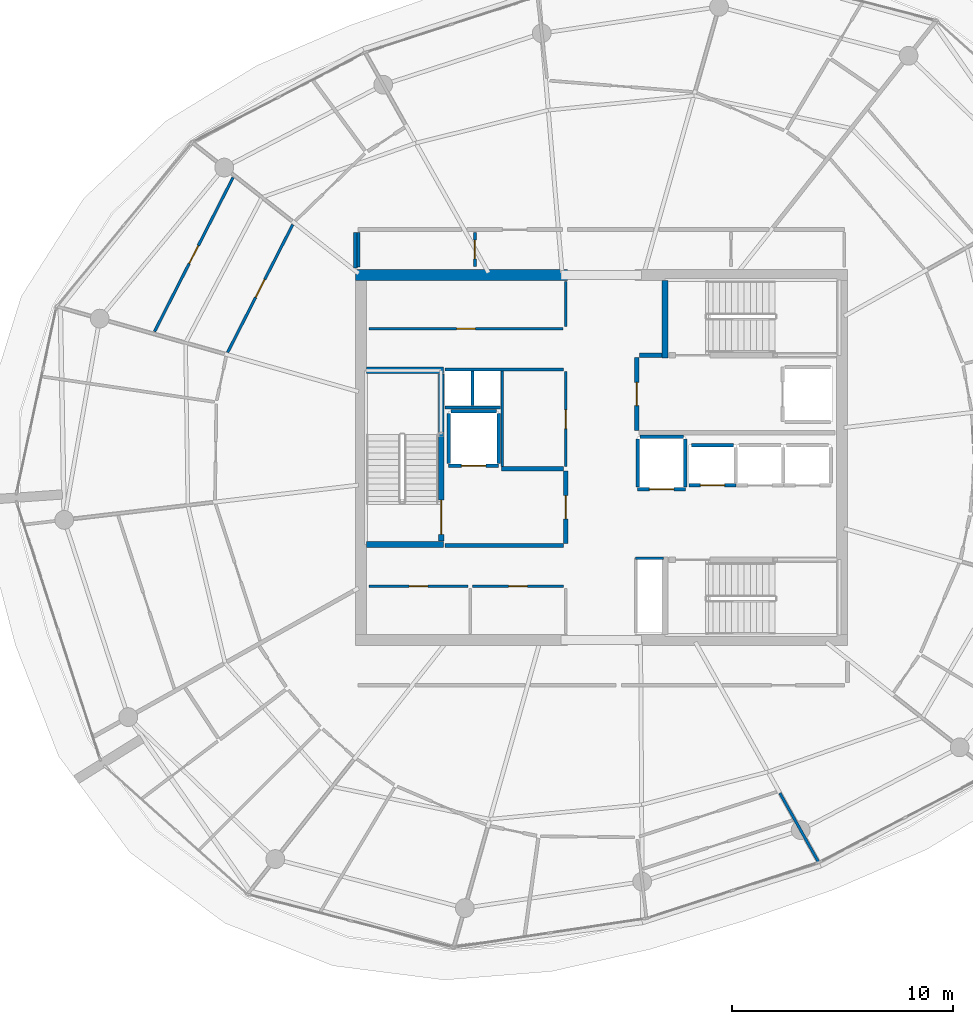
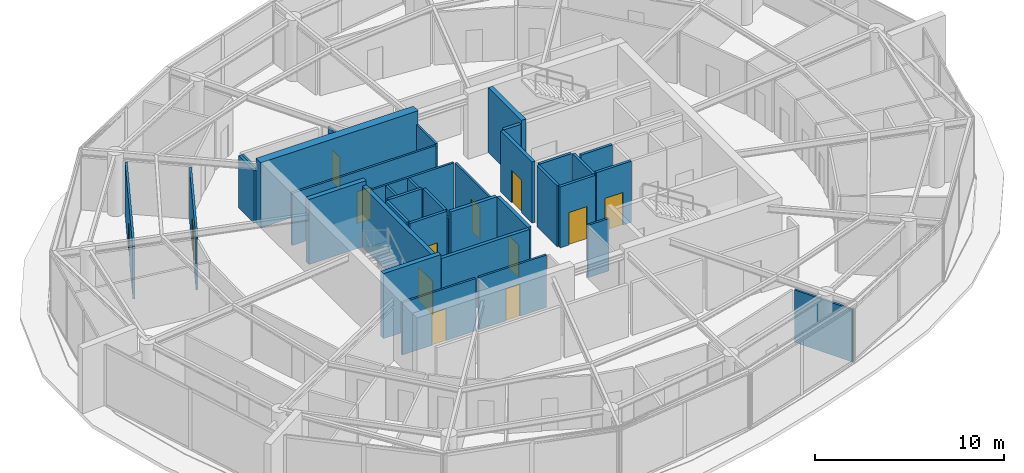
# One storey, part 12 of 16: 36 walls, 13 doors, 13 openings.
"""IFC4 building model written with IfcOpenShell, lengths in metres."""

from ifc_helpers import new_model, si_unit, direction, frame, frame_2d, origin, place, context, subcontext, project, spatial, rectangle, extrude, material, layer, layer_set, type_object, element, fill, save


model = new_model("IFC4")

# Units and contexts
model_context = context("Model", 3, precision=1e-05, world=origin(), true_north=direction((0.0, 1.0)))
body_context = subcontext(model_context, "Body", "Model", "MODEL_VIEW")
ifc_project = project(units=[si_unit("LENGTHUNIT", "METRE"), si_unit("AREAUNIT", "SQUARE_METRE"), si_unit("VOLUMEUNIT", "CUBIC_METRE"), si_unit("PLANEANGLEUNIT", "RADIAN"), si_unit("MASSUNIT", "GRAM", prefix="KILO")], contexts=[model_context])

# Site, building, storey
site_placement = place(None, origin())
site = spatial("IfcSite", under=ifc_project, at=site_placement, CompositionType="ELEMENT")
building_placement = place(site_placement, origin())
building = spatial("IfcBuilding", under=site, at=building_placement, Name="Kazma Halo Residences", CompositionType="ELEMENT")
storey_placement = place(building_placement, frame((0.0, 0.0, 313.699951171875)))
storey = spatial("IfcBuildingStorey", under=building, at=storey_placement, Name="L79", CompositionType="ELEMENT", Elevation=313.699951171875)

# Walls
ifc_material_1 = material(Name="Concrete C60/75", Category="concrete")
ifc_layer_1 = layer(ifc_material_1, 0.5)
ifc_layer_set_1 = layer_set([ifc_layer_1], Name="Concrete C60/75")
wall_type_1 = type_object("IfcWallType", Name="WL-CORE-500", PredefinedType="SHEAR", material=ifc_layer_set_1)
wall_1_placement = place(storey_placement, frame((37.300048828125, 50.25, 0.0), z_axis=(0.0, 0.0, 1.0), x_axis=(1.0, 0.0, 0.0)))
element("IfcWall", 1, at=wall_1_placement, inside=storey, type_object=wall_type_1, Name="L79 central core shear wall NW", PredefinedType="SHEAR", context=body_context, shape_type="SweptSolid", body=[
    extrude(rectangle(XDim=9.599853515625, YDim=0.5, at=frame_2d((4.7998046875, 0.0))), origin(), (0.0, 0.0, 1.0), 4.199951171875),
])
ifc_layer_2 = layer(ifc_material_1, 0.280029296875)
ifc_layer_set_2 = layer_set([ifc_layer_2], Name="Concrete C60/75")
wall_type_2 = type_object("IfcWallType", Name="WL-CORE-ST-280", PredefinedType="SHEAR", material=ifc_layer_set_2)
for number, where, z_axis, x_axis, name in (
    (2, (37.800048828125, 38.06005859375, 0.0), (0.0, 0.0, 1.0), (1.0, 0.0, 0.0), "L79 stairwell bearing wall ST01-S"),
    (3, (37.800048828125, 45.93994140625, 0.0), (0.0, 0.0, 1.0), (1.0, 0.0, 0.0), "L79 stairwell bearing wall ST01-N"),
    (4, (51.31005859375, 46.5, 0.0), (0.0, 0.0, 1.0), (0.0, 1.0, 0.0), "L79 stairwell bearing wall ST02-W"),
):
    element("IfcWall", number, at=place(storey_placement, frame(where, z_axis=z_axis, x_axis=x_axis)), inside=storey, type_object=wall_type_2, Name=name, PredefinedType="SHEAR", context=body_context, shape_type="SweptSolid", body=[
        extrude(rectangle(XDim=3.5, YDim=0.280029296875, at=frame_2d((1.75, 0.0))), origin(), (0.0, 0.0, 1.0), 4.199951171875),
    ])
ifc_material_2 = material(Name="Acoustic Twin-Stud Gypsum")
ifc_layer_3 = layer(ifc_material_2, 0.179931640625)
ifc_layer_set_3 = layer_set([ifc_layer_3], Name="Acoustic Twin-Stud Gypsum")
wall_type_3 = type_object("IfcWallType", Name="WL-DEM-180", PredefinedType="PARTITIONING", material=ifc_layer_set_3)
wall_2_placement = place(storey_placement, frame((37.300048828125, 52.179931640625, 0.0), z_axis=(0.0, 0.0, 1.0), x_axis=(0.0, -1.0, 0.0)))
element("IfcWall", 5, at=wall_2_placement, inside=storey, type_object=wall_type_3, Name="L79 Penthouse 1 inner wall 4", PredefinedType="PARTITIONING", context=body_context, shape_type="SweptSolid", body=[
    extrude(rectangle(XDim=1.624755859375, YDim=0.179931640625, at=frame_2d((0.8125, 0.0))), origin(), (0.0, 0.0, 1.0), 3.380126953125),
])

# Wall, opening, door
ifc_material_3 = material(Name="Fire-Rated Blockwork Masonry", Category="masonry")
ifc_layer_4 = layer(ifc_material_3, 0.199951171875)
ifc_layer_set_4 = layer_set([ifc_layer_4], Name="Fire-Rated Blockwork Masonry")
wall_type_4 = type_object("IfcWallType", Name="WL-FLB-200", PredefinedType="PARTITIONING", material=ifc_layer_set_4)
wall_3_placement = place(storey_placement, frame((54.5048828125, 40.7451171875, 0.0), z_axis=(0.0, 0.0, 1.0), x_axis=(-1.0, 0.0, 0.0)))
wall_3 = element("IfcWall", 6, at=wall_3_placement, inside=storey, type_object=wall_type_4, Name="L79 lift shaft PH-01 front wall", PredefinedType="PARTITIONING", context=body_context, shape_type="SweptSolid", body=[
    extrude(rectangle(XDim=2.10986328125, YDim=0.159912109375, at=frame_2d((1.054931640625, 0.0))), origin(), (0.0, 0.0, 1.0), 3.93994140625),
])
opening_1_placement = place(wall_3_placement, frame((0.5048828125, 0.0, 0.0)))
opening_1 = element("IfcOpeningElement", 7, at=opening_1_placement, cuts=wall_3, Name="Opening LD-PH-01", PredefinedType="OPENING", context=body_context, shape_type="SweptSolid", body=[
    extrude(rectangle(XDim=1.10009765625, YDim=2.10009765625, at=frame_2d((0.550048828125, 1.050048828125))), frame((0.0, 0.08984375, 0.0), z_axis=(0.0, -1.0, 0.0), x_axis=(1.0, 0.0, 0.0)), (0.0, 0.0, 1.0), 0.179931640625),
])
ifc_material_4 = material(Name="Stainless Steel Fire-Rated", Category="steel")
door_type_1 = type_object("IfcDoorType", Name="DR-LIFT-SLD-1100", OperationType="DOUBLE_DOOR_SLIDING", PredefinedType="DOOR", material=ifc_material_4)
door_1_placement = place(opening_1_placement, origin())
door_1 = element("IfcDoor", 8, at=door_1_placement, inside=storey, type_object=door_type_1, Name="L79 lift PH-01 sliding landing door", OperationType="DOUBLE_DOOR_SLIDING", OverallHeight=2.10009765625, OverallWidth=1.10009765625, PredefinedType="DOOR", context=body_context, shape_type="SweptSolid", body=[
    extrude(rectangle(XDim=1.10009765625, YDim=2.10009765625, at=frame_2d((0.550048828125, 1.050048828125))), frame((0.0, 0.02490234375, 0.0), z_axis=(0.0, -1.0, 0.0), x_axis=(1.0, 0.0, 0.0)), (0.0, 0.0, 1.0), 0.050048828125),
])
fill(opening_1, door_1)

# Wall
wall_4_placement = place(storey_placement, frame((52.4951171875, 42.554931640625, 0.0), z_axis=(0.0, 0.0, 1.0), x_axis=(1.0, 0.0, 0.0)))
element("IfcWall", 9, at=wall_4_placement, inside=storey, type_object=wall_type_4, Name="L79 lift shaft PH-01 side wall N", PredefinedType="PARTITIONING", context=body_context, shape_type="SweptSolid", body=[
    extrude(rectangle(XDim=1.909912109375, YDim=0.159912109375, at=frame_2d((0.955078125, 0.0))), origin(), (0.0, 0.0, 1.0), 3.93994140625),
])

# Wall, opening, door
wall_5_placement = place(storey_placement, frame((43.780029296875, 41.6201171875, 0.0), z_axis=(0.0, 0.0, 1.0), x_axis=(-1.0, 0.0, 0.0)))
wall_5 = element("IfcWall", 10, at=wall_5_placement, inside=storey, type_object=wall_type_4, Name="L79 lift shaft FL-01 front wall", PredefinedType="PARTITIONING", context=body_context, shape_type="SweptSolid", body=[
    extrude(rectangle(XDim=2.260009765625, YDim=0.159912109375, at=frame_2d((1.1298828125, 0.0))), origin(), (0.0, 0.0, 1.0), 3.93994140625),
])
opening_2_placement = place(wall_5_placement, frame((0.580078125, 0.0, 0.0)))
opening_2 = element("IfcOpeningElement", 11, at=opening_2_placement, cuts=wall_5, Name="Opening LD-FL-01", PredefinedType="OPENING", context=body_context, shape_type="SweptSolid", body=[
    extrude(rectangle(XDim=1.10009765625, YDim=2.10009765625, at=frame_2d((0.550048828125, 1.050048828125))), frame((0.0, 0.08984375, 0.0), z_axis=(0.0, -1.0, 0.0), x_axis=(1.0, 0.0, 0.0)), (0.0, 0.0, 1.0), 0.179931640625),
])
door_2_placement = place(opening_2_placement, origin())
door_2 = element("IfcDoor", 12, at=door_2_placement, inside=storey, type_object=door_type_1, Name="L79 lift FL-01 sliding landing door", OperationType="DOUBLE_DOOR_SLIDING", OverallHeight=2.10009765625, OverallWidth=1.10009765625, PredefinedType="DOOR", context=body_context, shape_type="SweptSolid", body=[
    extrude(rectangle(XDim=1.10009765625, YDim=2.10009765625, at=frame_2d((0.550048828125, 1.050048828125))), frame((0.0, 0.02490234375, 0.0), z_axis=(0.0, -1.0, 0.0), x_axis=(1.0, 0.0, 0.0)), (0.0, 0.0, 1.0), 0.050048828125),
])
fill(opening_2, door_2)

# Walls
for number, where, z_axis, x_axis, name in (
    (13, (43.780029296875, 41.719970703125, 0.0), (0.0, 0.0, 1.0), (0.0, 1.0, 0.0), "L79 lift shaft FL-01 side wall E"),
    (14, (41.52001953125, 41.719970703125, 0.0), (0.0, 0.0, 1.0), (0.0, 1.0, 0.0), "L79 lift shaft FL-01 side wall W"),
):
    element("IfcWall", number, at=place(storey_placement, frame(where, z_axis=z_axis, x_axis=x_axis)), inside=storey, type_object=wall_type_4, Name=name, PredefinedType="PARTITIONING", context=body_context, shape_type="SweptSolid", body=[
        extrude(rectangle(XDim=2.260009765625, YDim=0.159912109375, at=frame_2d((1.1298828125, 0.0))), origin(), (0.0, 0.0, 1.0), 3.93994140625),
    ])
wall_6_placement = place(storey_placement, frame((41.6201171875, 44.080078125, 0.0), z_axis=(0.0, 0.0, 1.0), x_axis=(1.0, 0.0, 0.0)))
element("IfcWall", 15, at=wall_6_placement, inside=storey, type_object=wall_type_4, Name="L79 lift shaft FL-01 side wall N", PredefinedType="PARTITIONING", context=body_context, shape_type="SweptSolid", body=[
    extrude(rectangle(XDim=2.059814453125, YDim=0.159912109375, at=frame_2d((1.02978515625, 0.0))), origin(), (0.0, 0.0, 1.0), 3.93994140625),
])

# Wall, opening, door
wall_7_placement = place(storey_placement, frame((52.22998046875, 40.570068359375, 0.0), z_axis=(0.0, 0.0, 1.0), x_axis=(-1.0, 0.0, 0.0)))
wall_7 = element("IfcWall", 16, at=wall_7_placement, inside=storey, type_object=wall_type_4, Name="L79 lift shaft SV-01 front wall", PredefinedType="PARTITIONING", context=body_context, shape_type="SweptSolid", body=[
    extrude(rectangle(XDim=2.159912109375, YDim=0.159912109375, at=frame_2d((1.080078125, 0.0))), origin(), (0.0, 0.0, 1.0), 3.93994140625),
])
opening_3_placement = place(wall_7_placement, frame((0.530029296875, 0.0, 0.0)))
opening_3 = element("IfcOpeningElement", 17, at=opening_3_placement, cuts=wall_7, Name="Opening LD-SV-01", PredefinedType="OPENING", context=body_context, shape_type="SweptSolid", body=[
    extrude(rectangle(XDim=1.10009765625, YDim=2.10009765625, at=frame_2d((0.550048828125, 1.050048828125))), frame((0.0, 0.08984375, 0.0), z_axis=(0.0, -1.0, 0.0), x_axis=(1.0, 0.0, 0.0)), (0.0, 0.0, 1.0), 0.179931640625),
])
door_3_placement = place(opening_3_placement, origin())
door_3 = element("IfcDoor", 18, at=door_3_placement, inside=storey, type_object=door_type_1, Name="L79 lift SV-01 sliding landing door", OperationType="DOUBLE_DOOR_SLIDING", OverallHeight=2.10009765625, OverallWidth=1.10009765625, PredefinedType="DOOR", context=body_context, shape_type="SweptSolid", body=[
    extrude(rectangle(XDim=1.10009765625, YDim=2.10009765625, at=frame_2d((0.550048828125, 1.050048828125))), frame((0.0, 0.02490234375, 0.0), z_axis=(0.0, -1.0, 0.0), x_axis=(1.0, 0.0, 0.0)), (0.0, 0.0, 1.0), 0.050048828125),
])
fill(opening_3, door_3)

# Walls
for number, where, z_axis, x_axis, name in (
    (19, (52.22998046875, 40.669921875, 0.0), (0.0, 0.0, 1.0), (0.0, 1.0, 0.0), "L79 lift shaft SV-01 side wall E"),
    (20, (50.070068359375, 40.669921875, 0.0), (0.0, 0.0, 1.0), (0.0, 1.0, 0.0), "L79 lift shaft SV-01 side wall W"),
):
    element("IfcWall", number, at=place(storey_placement, frame(where, z_axis=z_axis, x_axis=x_axis)), inside=storey, type_object=wall_type_4, Name=name, PredefinedType="PARTITIONING", context=body_context, shape_type="SweptSolid", body=[
        extrude(rectangle(XDim=2.16015625, YDim=0.159912109375, at=frame_2d((1.080078125, 0.0))), origin(), (0.0, 0.0, 1.0), 3.93994140625),
    ])
wall_8_placement = place(storey_placement, frame((50.169921875, 42.929931640625, 0.0), z_axis=(0.0, 0.0, 1.0), x_axis=(1.0, 0.0, 0.0)))
element("IfcWall", 21, at=wall_8_placement, inside=storey, type_object=wall_type_4, Name="L79 lift shaft SV-01 side wall N", PredefinedType="PARTITIONING", context=body_context, shape_type="SweptSolid", body=[
    extrude(rectangle(XDim=1.9599609375, YDim=0.159912109375, at=frame_2d((0.97998046875, 0.0))), origin(), (0.0, 0.0, 1.0), 3.93994140625),
])
wall_9_placement = place(storey_placement, frame((41.35009765625, 38.02001953125, 0.0), z_axis=(0.0, 0.0, 1.0), x_axis=(1.0, 0.0, 0.0)))
element("IfcWall", 22, at=wall_9_placement, inside=storey, type_object=wall_type_4, Name="L79 west firefighting lobby south smoke wall", PredefinedType="PARTITIONING", context=body_context, shape_type="SweptSolid", body=[
    extrude(rectangle(XDim=5.369873046875, YDim=0.199951171875, at=frame_2d((2.68505859375, 0.0))), origin(), (0.0, 0.0, 1.0), 3.93994140625),
])
wall_10_placement = place(storey_placement, frame((43.919921875, 41.47998046875, 0.0), z_axis=(0.0, 0.0, 1.0), x_axis=(1.0, 0.0, 0.0)))
element("IfcWall", 23, at=wall_10_placement, inside=storey, type_object=wall_type_4, Name="L79 west firefighting lobby north smoke wall", PredefinedType="PARTITIONING", context=body_context, shape_type="SweptSolid", body=[
    extrude(rectangle(XDim=2.800048828125, YDim=0.199951171875, at=frame_2d((1.39990234375, 0.0))), origin(), (0.0, 0.0, 1.0), 3.93994140625),
])

# Wall, opening, door
wall_11_placement = place(storey_placement, frame((46.820068359375, 38.1201171875, 0.0), z_axis=(0.0, 0.0, 1.0), x_axis=(0.0, 1.0, 0.0)))
wall_11 = element("IfcWall", 24, at=wall_11_placement, inside=storey, type_object=wall_type_4, Name="L79 west firefighting lobby smoke wall", PredefinedType="PARTITIONING", context=body_context, shape_type="SweptSolid", body=[
    extrude(rectangle(XDim=3.259765625, YDim=0.199951171875, at=frame_2d((1.6298828125, 0.0))), origin(), (0.0, 0.0, 1.0), 3.93994140625),
])
opening_4_placement = place(wall_11_placement, frame((1.10498046875, 0.0, 0.0)))
opening_4 = element("IfcOpeningElement", 25, at=opening_4_placement, cuts=wall_11, Name="Opening D-FLW", PredefinedType="OPENING", context=body_context, shape_type="SweptSolid", body=[
    extrude(rectangle(XDim=1.050048828125, YDim=2.10009765625, at=frame_2d((0.52490234375, 1.050048828125))), frame((0.0, 0.10986328125, 0.0), z_axis=(0.0, -1.0, 0.0), x_axis=(1.0, 0.0, 0.0)), (0.0, 0.0, 1.0), 0.219970703125),
])
ifc_material_5 = material(Name="Fire-Rated Steel Leaf", Category="steel")
door_type_2 = type_object("IfcDoorType", Name="DR-FD90-1050", OperationType="NOTDEFINED", PredefinedType="DOOR", material=ifc_material_5)
door_4_placement = place(opening_4_placement, origin())
door_4 = element("IfcDoor", 26, at=door_4_placement, inside=storey, type_object=door_type_2, Name="L79 west firefighting lobby smoke door", OperationType="SINGLE_SWING_RIGHT", OverallHeight=2.10009765625, OverallWidth=1.050048828125, PredefinedType="DOOR", context=body_context, shape_type="SweptSolid", body=[
    extrude(rectangle(XDim=1.050048828125, YDim=2.10009765625, at=frame_2d((0.52490234375, 1.050048828125))), frame((0.0, 0.02490234375, 0.0), z_axis=(0.0, -1.0, 0.0), x_axis=(1.0, 0.0, 0.0)), (0.0, 0.0, 1.0), 0.050048828125),
])
fill(opening_4, door_4)

# Wall
wall_12_placement = place(storey_placement, frame((50.139892578125, 46.6201171875, 0.0), z_axis=(0.0, 0.0, 1.0), x_axis=(1.0, 0.0, 0.0)))
element("IfcWall", 27, at=wall_12_placement, inside=storey, type_object=wall_type_4, Name="L79 east firefighting lobby north closure wall", PredefinedType="PARTITIONING", context=body_context, shape_type="SweptSolid", body=[
    extrude(rectangle(XDim=1.02001953125, YDim=0.199951171875, at=frame_2d((0.510009765625, 0.0))), origin(), (0.0, 0.0, 1.0), 3.93994140625),
])

# Wall, opening, door
wall_13_placement = place(storey_placement, frame((50.02001953125, 43.219970703125, 0.0), z_axis=(0.0, 0.0, 1.0), x_axis=(0.0, 1.0, 0.0)))
wall_13 = element("IfcWall", 28, at=wall_13_placement, inside=storey, type_object=wall_type_4, Name="L79 east firefighting lobby smoke wall", PredefinedType="PARTITIONING", context=body_context, shape_type="SweptSolid", body=[
    extrude(rectangle(XDim=3.300048828125, YDim=0.199951171875, at=frame_2d((1.64990234375, 0.0))), origin(), (0.0, 0.0, 1.0), 3.93994140625),
])
opening_5_placement = place(wall_13_placement, frame((1.125, 0.0, 0.0)))
opening_5 = element("IfcOpeningElement", 29, at=opening_5_placement, cuts=wall_13, Name="Opening D-FLE", PredefinedType="OPENING", context=body_context, shape_type="SweptSolid", body=[
    extrude(rectangle(XDim=1.050048828125, YDim=2.10009765625, at=frame_2d((0.52490234375, 1.050048828125))), frame((0.0, 0.10986328125, 0.0), z_axis=(0.0, -1.0, 0.0), x_axis=(1.0, 0.0, 0.0)), (0.0, 0.0, 1.0), 0.219970703125),
])
door_5_placement = place(opening_5_placement, origin())
door_5 = element("IfcDoor", 30, at=door_5_placement, inside=storey, type_object=door_type_2, Name="L79 east firefighting lobby smoke door", OperationType="SINGLE_SWING_LEFT", OverallHeight=2.10009765625, OverallWidth=1.050048828125, PredefinedType="DOOR", context=body_context, shape_type="SweptSolid", body=[
    extrude(rectangle(XDim=1.050048828125, YDim=2.10009765625, at=frame_2d((0.52490234375, 1.050048828125))), frame((0.0, 0.02490234375, 0.0), z_axis=(0.0, -1.0, 0.0), x_axis=(1.0, 0.0, 0.0)), (0.0, 0.0, 1.0), 0.050048828125),
])
fill(opening_5, door_5)

ifc_material_6 = material(Name="Gypsum Plasterboard Partition")
ifc_layer_5 = layer(ifc_material_6, 0.125)
ifc_layer_set_5 = layer_set([ifc_layer_5], Name="Gypsum Plasterboard Partition")
wall_type_5 = type_object("IfcWallType", Name="WL-PART-125", PredefinedType="PARTITIONING", material=ifc_layer_set_5)
wall_14_placement = place(storey_placement, frame((37.919921875, 36.179931640625, 0.0), z_axis=(0.0, 0.0, 1.0), x_axis=(1.0, 0.0, 0.0)))
wall_14 = element("IfcWall", 31, at=wall_14_placement, inside=storey, type_object=wall_type_5, Name="L79 reclaimed south W front wall", PredefinedType="PARTITIONING", context=body_context, shape_type="SweptSolid", body=[
    extrude(rectangle(XDim=4.47998046875, YDim=0.125, at=frame_2d((2.239990234375, 0.0))), origin(), (0.0, 0.0, 1.0), 3.380126953125),
])
opening_6_placement = place(wall_14_placement, frame((1.81494140625, 0.0, 0.0)))
opening_6 = element("IfcOpeningElement", 32, at=opening_6_placement, cuts=wall_14, Name="Opening DS-850", PredefinedType="OPENING", context=body_context, shape_type="SweptSolid", body=[
    extrude(rectangle(XDim=0.85009765625, YDim=2.06005859375, at=frame_2d((0.425048828125, 1.030029296875))), frame((0.0, 0.072509765625, 0.0), z_axis=(0.0, -1.0, 0.0), x_axis=(1.0, 0.0, 0.0)), (0.0, 0.0, 1.0), 0.14501953125),
])
ifc_material_7 = material(Name="Painted Steel Access Leaf", Category="steel")
door_type_3 = type_object("IfcDoorType", Name="DR-SVC-850", OperationType="NOTDEFINED", PredefinedType="DOOR", material=ifc_material_7)
door_6_placement = place(opening_6_placement, origin())
door_6 = element("IfcDoor", 33, at=door_6_placement, inside=storey, type_object=door_type_3, Name="L79 reclaimed south W door", OperationType="SINGLE_SWING_RIGHT", OverallHeight=2.06005859375, OverallWidth=0.85009765625, PredefinedType="DOOR", context=body_context, shape_type="SweptSolid", body=[
    extrude(rectangle(XDim=0.85009765625, YDim=2.06005859375, at=frame_2d((0.425048828125, 1.030029296875))), frame((0.0, 0.02490234375, 0.0), z_axis=(0.0, -1.0, 0.0), x_axis=(1.0, 0.0, 0.0)), (0.0, 0.0, 1.0), 0.050048828125),
])
fill(opening_6, door_6)

wall_15_placement = place(storey_placement, frame((42.60009765625, 36.179931640625, 0.0), z_axis=(0.0, 0.0, 1.0), x_axis=(1.0, 0.0, 0.0)))
wall_15 = element("IfcWall", 34, at=wall_15_placement, inside=storey, type_object=wall_type_5, Name="L79 reclaimed south E front wall", PredefinedType="PARTITIONING", context=body_context, shape_type="SweptSolid", body=[
    extrude(rectangle(XDim=4.119873046875, YDim=0.125, at=frame_2d((2.06005859375, 0.0))), origin(), (0.0, 0.0, 1.0), 3.380126953125),
])
opening_7_placement = place(wall_15_placement, frame((1.635009765625, 0.0, 0.0)))
opening_7 = element("IfcOpeningElement", 35, at=opening_7_placement, cuts=wall_15, Name="Opening DS-850", PredefinedType="OPENING", context=body_context, shape_type="SweptSolid", body=[
    extrude(rectangle(XDim=0.85009765625, YDim=2.06005859375, at=frame_2d((0.425048828125, 1.030029296875))), frame((0.0, 0.072509765625, 0.0), z_axis=(0.0, -1.0, 0.0), x_axis=(1.0, 0.0, 0.0)), (0.0, 0.0, 1.0), 0.14501953125),
])
door_7_placement = place(opening_7_placement, origin())
door_7 = element("IfcDoor", 36, at=door_7_placement, inside=storey, type_object=door_type_3, Name="L79 reclaimed south E door", OperationType="SINGLE_SWING_LEFT", OverallHeight=2.06005859375, OverallWidth=0.85009765625, PredefinedType="DOOR", context=body_context, shape_type="SweptSolid", body=[
    extrude(rectangle(XDim=0.85009765625, YDim=2.06005859375, at=frame_2d((0.425048828125, 1.030029296875))), frame((0.0, 0.02490234375, 0.0), z_axis=(0.0, -1.0, 0.0), x_axis=(1.0, 0.0, 0.0)), (0.0, 0.0, 1.0), 0.050048828125),
])
fill(opening_7, door_7)

# Wall
wall_16_placement = place(storey_placement, frame((46.820068359375, 47.919921875, 0.0), z_axis=(0.0, 0.0, 1.0), x_axis=(0.0, 1.0, 0.0)))
element("IfcWall", 37, at=wall_16_placement, inside=storey, type_object=wall_type_5, Name="L79 reclaimed north east wall", PredefinedType="PARTITIONING", context=body_context, shape_type="SweptSolid", body=[
    extrude(rectangle(XDim=2.030029296875, YDim=0.125, at=frame_2d((1.01513671875, 0.0))), origin(), (0.0, 0.0, 1.0), 3.380126953125),
])

# Wall, opening, door
wall_17_placement = place(storey_placement, frame((37.919921875, 47.820068359375, 0.0), z_axis=(0.0, 0.0, 1.0), x_axis=(1.0, 0.0, 0.0)))
wall_17 = element("IfcWall", 38, at=wall_17_placement, inside=storey, type_object=wall_type_5, Name="L79 reclaimed north front wall", PredefinedType="PARTITIONING", context=body_context, shape_type="SweptSolid", body=[
    extrude(rectangle(XDim=8.780029296875, YDim=0.125, at=frame_2d((4.39013671875, 0.0))), origin(), (0.0, 0.0, 1.0), 3.380126953125),
])
opening_8_placement = place(wall_17_placement, frame((3.965087890625, 0.0, 0.0)))
opening_8 = element("IfcOpeningElement", 39, at=opening_8_placement, cuts=wall_17, Name="Opening DS-850", PredefinedType="OPENING", context=body_context, shape_type="SweptSolid", body=[
    extrude(rectangle(XDim=0.85009765625, YDim=2.06005859375, at=frame_2d((0.425048828125, 1.030029296875))), frame((0.0, 0.072509765625, 0.0), z_axis=(0.0, -1.0, 0.0), x_axis=(1.0, 0.0, 0.0)), (0.0, 0.0, 1.0), 0.14501953125),
])
door_8_placement = place(opening_8_placement, origin())
door_8 = element("IfcDoor", 40, at=door_8_placement, inside=storey, type_object=door_type_3, Name="L79 reclaimed north service door", OperationType="SINGLE_SWING_RIGHT", OverallHeight=2.06005859375, OverallWidth=0.85009765625, PredefinedType="DOOR", context=body_context, shape_type="SweptSolid", body=[
    extrude(rectangle(XDim=0.85009765625, YDim=2.06005859375, at=frame_2d((0.425048828125, 1.030029296875))), frame((0.0, 0.02490234375, 0.0), z_axis=(0.0, -1.0, 0.0), x_axis=(1.0, 0.0, 0.0)), (0.0, 0.0, 1.0), 0.050048828125),
])
fill(opening_8, door_8)

# Walls
wall_18_placement = place(storey_placement, frame((41.360107421875, 45.97998046875, 0.0), z_axis=(0.0, 0.0, 1.0), x_axis=(1.0, 0.0, 0.0)))
element("IfcWall", 41, at=wall_18_placement, inside=storey, type_object=wall_type_5, Name="L79 core north riser wall", PredefinedType="PARTITIONING", context=body_context, shape_type="SweptSolid", body=[
    extrude(rectangle(XDim=5.35986328125, YDim=0.125, at=frame_2d((2.679931640625, 0.0))), origin(), (0.0, 0.0, 1.0), 3.380126953125),
])
wall_19_placement = place(storey_placement, frame((41.360107421875, 44.260009765625, 0.0), z_axis=(0.0, 0.0, 1.0), x_axis=(1.0, 0.0, 0.0)))
element("IfcWall", 42, at=wall_19_placement, inside=storey, type_object=wall_type_5, Name="L79 core riser south wall", PredefinedType="PARTITIONING", context=body_context, shape_type="SweptSolid", body=[
    extrude(rectangle(XDim=2.5, YDim=0.125, at=frame_2d((1.25, 0.0))), origin(), (0.0, 0.0, 1.0), 3.380126953125),
])
wall_20_placement = place(storey_placement, frame((42.60009765625, 44.35009765625, 0.0), z_axis=(0.0, 0.0, 1.0), x_axis=(0.0, 1.0, 0.0)))
element("IfcWall", 43, at=wall_20_placement, inside=storey, type_object=wall_type_5, Name="L79 core riser divider wall", PredefinedType="PARTITIONING", context=body_context, shape_type="SweptSolid", body=[
    extrude(rectangle(XDim=1.5498046875, YDim=0.125, at=frame_2d((0.77490234375, 0.0))), origin(), (0.0, 0.0, 1.0), 3.380126953125),
])
wall_21_placement = place(storey_placement, frame((49.97998046875, 37.43994140625, 0.0), z_axis=(0.0, 0.0, 1.0), x_axis=(1.0, 0.0, 0.0)))
element("IfcWall", 44, at=wall_21_placement, inside=storey, type_object=wall_type_5, Name="L79 standpipe riser north wall", PredefinedType="PARTITIONING", context=body_context, shape_type="SweptSolid", body=[
    extrude(rectangle(XDim=1.260009765625, YDim=0.125, at=frame_2d((0.6298828125, 0.0))), origin(), (0.0, 0.0, 1.0), 3.380126953125),
])
wall_22_placement = place(storey_placement, frame((43.949951171875, 41.580078125, 0.0), z_axis=(0.0, 0.0, 1.0), x_axis=(0.0, 1.0, 0.0)))
element("IfcWall", 45, at=wall_22_placement, inside=storey, type_object=wall_type_5, Name="L79 core service west wall", PredefinedType="PARTITIONING", context=body_context, shape_type="SweptSolid", body=[
    extrude(rectangle(XDim=4.31982421875, YDim=0.125, at=frame_2d((2.159912109375, 0.0))), origin(), (0.0, 0.0, 1.0), 3.380126953125),
])

# Wall, opening, door
wall_23_placement = place(storey_placement, frame((46.820068359375, 41.580078125, 0.0), z_axis=(0.0, 0.0, 1.0), x_axis=(0.0, 1.0, 0.0)))
wall_23 = element("IfcWall", 46, at=wall_23_placement, inside=storey, type_object=wall_type_5, Name="L79 core service room east wall", PredefinedType="PARTITIONING", context=body_context, shape_type="SweptSolid", body=[
    extrude(rectangle(XDim=4.2998046875, YDim=0.125, at=frame_2d((2.14990234375, 0.0))), origin(), (0.0, 0.0, 1.0), 3.380126953125),
])
opening_9_placement = place(wall_23_placement, frame((1.72509765625, 0.0, 0.0)))
opening_9 = element("IfcOpeningElement", 47, at=opening_9_placement, cuts=wall_23, Name="Opening DS-850", PredefinedType="OPENING", context=body_context, shape_type="SweptSolid", body=[
    extrude(rectangle(XDim=0.85009765625, YDim=2.06005859375, at=frame_2d((0.425048828125, 1.030029296875))), frame((0.0, 0.072509765625, 0.0), z_axis=(0.0, -1.0, 0.0), x_axis=(1.0, 0.0, 0.0)), (0.0, 0.0, 1.0), 0.14501953125),
])
door_9_placement = place(opening_9_placement, origin())
door_9 = element("IfcDoor", 48, at=door_9_placement, inside=storey, type_object=door_type_3, Name="L79 core service room door", OperationType="SINGLE_SWING_RIGHT", OverallHeight=2.06005859375, OverallWidth=0.85009765625, PredefinedType="DOOR", context=body_context, shape_type="SweptSolid", body=[
    extrude(rectangle(XDim=0.85009765625, YDim=2.06005859375, at=frame_2d((0.425048828125, 1.030029296875))), frame((0.0, 0.02490234375, 0.0), z_axis=(0.0, -1.0, 0.0), x_axis=(1.0, 0.0, 0.0)), (0.0, 0.0, 1.0), 0.050048828125),
])
fill(opening_9, door_9)

# Wall
wall_24_placement = place(storey_placement, frame((37.43994140625, 50.6201171875, 0.0), z_axis=(0.0, 0.0, 1.0), x_axis=(0.0, 1.0, 0.0)))
element("IfcWall", 49, at=wall_24_placement, inside=storey, type_object=wall_type_5, Name="L79 west linen end wall", PredefinedType="PARTITIONING", context=body_context, shape_type="SweptSolid", body=[
    extrude(rectangle(XDim=1.539794921875, YDim=0.125, at=frame_2d((0.77001953125, 0.0))), origin(), (0.0, 0.0, 1.0), 3.380126953125),
])

# Wall, opening, door
wall_25_placement = place(storey_placement, frame((42.7099609375, 50.639892578125, 0.0), z_axis=(0.0, 0.0, 1.0), x_axis=(0.0, 1.0, 0.0)))
wall_25 = element("IfcWall", 50, at=wall_25_placement, inside=storey, type_object=wall_type_5, Name="L79 floor linen store door wall", PredefinedType="PARTITIONING", context=body_context, shape_type="SweptSolid", body=[
    extrude(rectangle(XDim=1.52001953125, YDim=0.125, at=frame_2d((0.760009765625, 0.0))), origin(), (0.0, 0.0, 1.0), 3.380126953125),
])
opening_10_placement = place(wall_25_placement, frame((0.3349609375, 0.0, 0.0)))
opening_10 = element("IfcOpeningElement", 51, at=opening_10_placement, cuts=wall_25, Name="Opening DS-850", PredefinedType="OPENING", context=body_context, shape_type="SweptSolid", body=[
    extrude(rectangle(XDim=0.85009765625, YDim=2.06005859375, at=frame_2d((0.425048828125, 1.030029296875))), frame((0.0, 0.072509765625, 0.0), z_axis=(0.0, -1.0, 0.0), x_axis=(1.0, 0.0, 0.0)), (0.0, 0.0, 1.0), 0.14501953125),
])
door_10_placement = place(opening_10_placement, origin())
door_10 = element("IfcDoor", 52, at=door_10_placement, inside=storey, type_object=door_type_3, Name="L79 floor linen store door", OperationType="SINGLE_SWING_RIGHT", OverallHeight=2.06005859375, OverallWidth=0.85009765625, PredefinedType="DOOR", context=body_context, shape_type="SweptSolid", body=[
    extrude(rectangle(XDim=0.85009765625, YDim=2.06005859375, at=frame_2d((0.425048828125, 1.030029296875))), frame((0.0, 0.02490234375, 0.0), z_axis=(0.0, -1.0, 0.0), x_axis=(1.0, 0.0, 0.0)), (0.0, 0.0, 1.0), 0.050048828125),
])
fill(opening_10, door_10)

wall_26_placement = place(storey_placement, frame((34.4716796875, 52.527587890625, 0.0), z_axis=(0.0, 0.0, 1.0), x_axis=(-0.453985634683, -0.891009003042, 0.0)))
wall_26 = element("IfcWall", 53, at=wall_26_placement, inside=storey, type_object=wall_type_5, Name="L79 Penthouse 1 South Study hall wall", PredefinedType="PARTITIONING", context=body_context, shape_type="SweptSolid", body=[
    extrude(rectangle(XDim=6.476806640625, YDim=0.125, at=frame_2d((3.23828125, 0.0))), origin(), (0.0, 0.0, 1.0), 3.380126953125),
])
opening_11_placement = place(wall_26_placement, frame((2.788330078125, 0.0, 0.0)))
opening_11 = element("IfcOpeningElement", 54, at=opening_11_placement, cuts=wall_26, Name="Opening DI-950", PredefinedType="OPENING", context=body_context, shape_type="SweptSolid", body=[
    extrude(rectangle(XDim=0.89990234375, YDim=2.080078125, at=frame_2d((0.449951171875, 1.0400390625))), frame((0.0, 0.072509765625, 0.0), z_axis=(0.0, -1.0, 0.0), x_axis=(1.0, 0.0, 0.0)), (0.0, 0.0, 1.0), 0.14501953125),
])
ifc_material_8 = material(Name="Timber Veneer Flush Leaf", Category="wood")
door_type_4 = type_object("IfcDoorType", Name="DR-INT-950", OperationType="NOTDEFINED", PredefinedType="DOOR", material=ifc_material_8)
door_11_placement = place(opening_11_placement, origin())
door_11 = element("IfcDoor", 55, at=door_11_placement, inside=storey, type_object=door_type_4, Name="L79 Penthouse 1 South Study door", OperationType="SINGLE_SWING_LEFT", OverallHeight=2.080078125, OverallWidth=0.89990234375, PredefinedType="DOOR", context=body_context, shape_type="SweptSolid", body=[
    extrude(rectangle(XDim=0.89990234375, YDim=2.080078125, at=frame_2d((0.449951171875, 1.0400390625))), frame((0.0, 0.02490234375, 0.0), z_axis=(0.0, -1.0, 0.0), x_axis=(1.0, 0.0, 0.0)), (0.0, 0.0, 1.0), 0.050048828125),
])
fill(opening_11, door_11)

wall_27_placement = place(storey_placement, frame((31.771728515625, 54.656005859375, 0.0), z_axis=(0.0, 0.0, 1.0), x_axis=(-0.453983318952, -0.891010182946, 0.0)))
wall_27 = element("IfcWall", 56, at=wall_27_placement, inside=storey, type_object=wall_type_5, Name="L79 Penthouse 1 Inner Bedroom divider wall", PredefinedType="PARTITIONING", context=body_context, shape_type="SweptSolid", body=[
    extrude(rectangle(XDim=7.818115234375, YDim=0.125, at=frame_2d((3.9091796875, 0.0))), origin(), (0.0, 0.0, 1.0), 3.380126953125),
])
opening_12_placement = place(wall_27_placement, frame((3.458984375, 0.0, 0.0)))
opening_12 = element("IfcOpeningElement", 57, at=opening_12_placement, cuts=wall_27, Name="Opening DI-950", PredefinedType="OPENING", context=body_context, shape_type="SweptSolid", body=[
    extrude(rectangle(XDim=0.89990234375, YDim=2.080078125, at=frame_2d((0.449951171875, 1.0400390625))), frame((0.0, 0.072509765625, 0.0), z_axis=(0.0, -1.0, 0.0), x_axis=(1.0, 0.0, 0.0)), (0.0, 0.0, 1.0), 0.14501953125),
])
door_12_placement = place(opening_12_placement, origin())
door_12 = element("IfcDoor", 58, at=door_12_placement, inside=storey, type_object=door_type_4, Name="L79 Penthouse 1 Inner Bedroom door", OperationType="SINGLE_SWING_RIGHT", OverallHeight=2.080078125, OverallWidth=0.89990234375, PredefinedType="DOOR", context=body_context, shape_type="SweptSolid", body=[
    extrude(rectangle(XDim=0.89990234375, YDim=2.080078125, at=frame_2d((0.449951171875, 1.0400390625))), frame((0.0, 0.02490234375, 0.0), z_axis=(0.0, -1.0, 0.0), x_axis=(1.0, 0.0, 0.0)), (0.0, 0.0, 1.0), 0.050048828125),
])
fill(opening_12, door_12)

# Wall
wall_28_placement = place(storey_placement, frame((56.5, 26.822021484375, 0.0), z_axis=(0.0, 0.0, 1.0), x_axis=(0.488645059518, -0.872482667913, 0.0)))
element("IfcWall", 59, at=wall_28_placement, inside=storey, type_object=wall_type_5, Name="L79 Penthouse 2 living radial partition 11", PredefinedType="PARTITIONING", context=body_context, shape_type="SweptSolid", body=[
    extrude(rectangle(XDim=3.56640625, YDim=0.125, at=frame_2d((1.783203125, 0.0))), origin(), (0.0, 0.0, 1.0), 3.380126953125),
])

# Wall, opening, door
ifc_material_9 = material(Name="Concrete C50/60", Category="concrete")
ifc_layer_6 = layer(ifc_material_9, 0.25)
ifc_layer_set_6 = layer_set([ifc_layer_6], Name="Concrete C50/60")
wall_type_6 = type_object("IfcWallType", Name="WL-SHF-250", PredefinedType="SOLIDWALL", material=ifc_layer_set_6)
wall_29_placement = place(storey_placement, frame((41.179931640625, 38.219970703125, 0.0), z_axis=(0.0, 0.0, 1.0), x_axis=(0.0, 1.0, 0.0)))
wall_29 = element("IfcWall", 60, at=wall_29_placement, inside=storey, type_object=wall_type_6, Name="L79 exit stair ST-01 enclosure wall", PredefinedType="SOLIDWALL", context=body_context, shape_type="SweptSolid", body=[
    extrude(rectangle(XDim=7.56005859375, YDim=0.25, at=frame_2d((3.780029296875, 0.0))), origin(), (0.0, 0.0, 1.0), 3.93994140625),
])
opening_13_placement = place(wall_29_placement, frame((0.300048828125, 0.0, 0.0)))
opening_13 = element("IfcOpeningElement", 61, at=opening_13_placement, cuts=wall_29, Name="Opening D-ST1", PredefinedType="OPENING", context=body_context, shape_type="SweptSolid", body=[
    extrude(rectangle(XDim=1.550048828125, YDim=2.14990234375, at=frame_2d((0.77490234375, 1.074951171875))), frame((0.0, 0.135009765625, 0.0), z_axis=(0.0, -1.0, 0.0), x_axis=(1.0, 0.0, 0.0)), (0.0, 0.0, 1.0), 0.27001953125),
])
ifc_material_10 = material(Name="Fire-Rated Double Steel Leaf", Category="steel")
door_type_5 = type_object("IfcDoorType", Name="DR-FD90-1550", OperationType="NOTDEFINED", PredefinedType="DOOR", material=ifc_material_10)
door_13_placement = place(opening_13_placement, origin())
door_13 = element("IfcDoor", 62, at=door_13_placement, inside=storey, type_object=door_type_5, Name="L79 exit stair ST-01 fire door", OperationType="DOUBLE_DOOR_SINGLE_SWING", OverallHeight=2.14990234375, OverallWidth=1.550048828125, PredefinedType="DOOR", context=body_context, shape_type="SweptSolid", body=[
    extrude(rectangle(XDim=1.550048828125, YDim=2.14990234375, at=frame_2d((0.77490234375, 1.074951171875))), frame((0.0, 0.02490234375, 0.0), z_axis=(0.0, -1.0, 0.0), x_axis=(1.0, 0.0, 0.0)), (0.0, 0.0, 1.0), 0.050048828125),
])
fill(opening_13, door_13)

save(model, "model.ifc")
